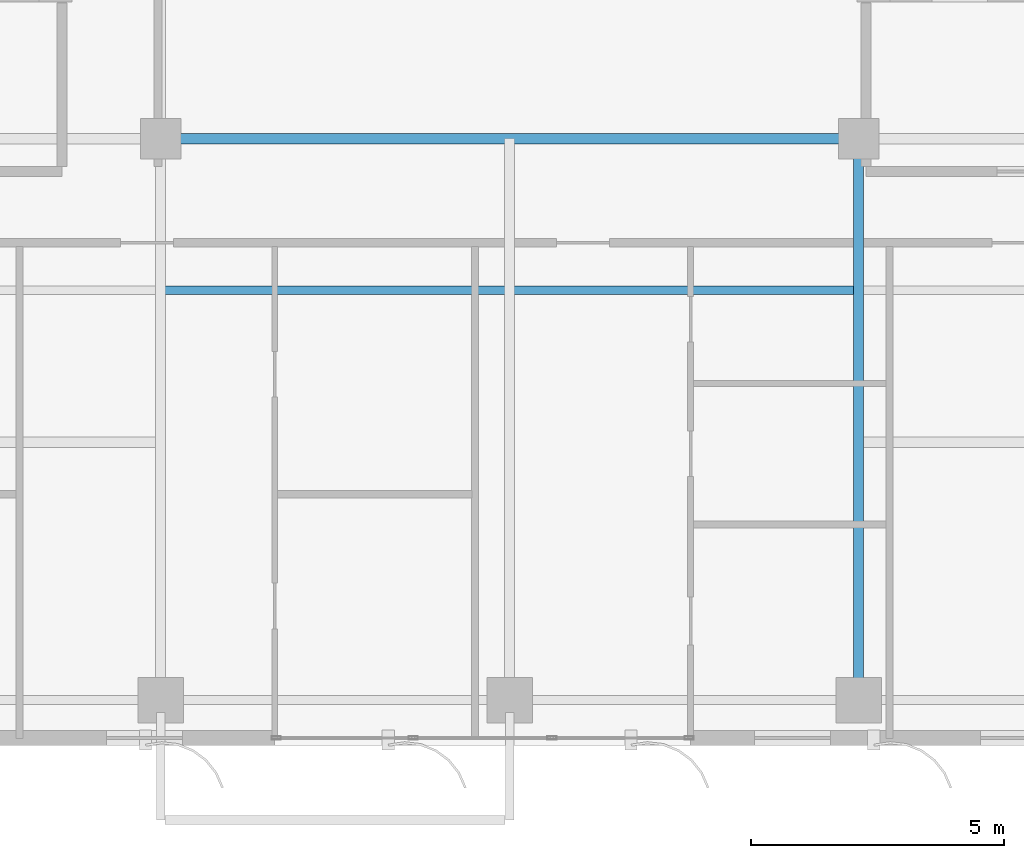
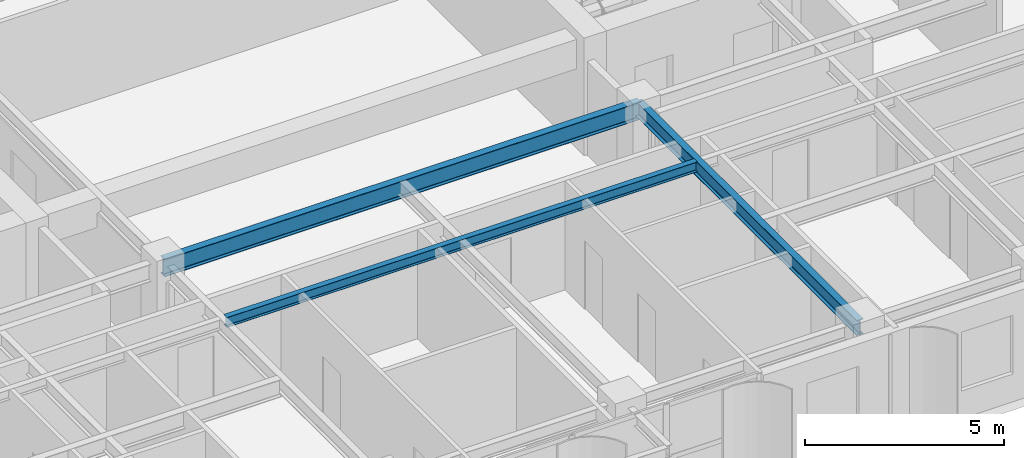
# One storey, part 4 of 21: 3 beams.
"""IFC4 building model written with IfcOpenShell, lengths in metres."""

import ifcopenshell
import ifcopenshell.guid

model = None  # the IFC model being written
_history = None  # IfcOwnerHistory: only IFC2X3 demands one
_inside = {}  # id of a spatial element -> (the spatial element, [elements in it])
_under = {}  # id of a project, library or spatial element -> (it, [spatial elements below it])
_declared = {}  # id of a project -> (the project, [libraries it declares])
_typed = {}  # id of a type object -> (the type object, [elements of that type])
_made_of = {}  # id of a material, layer set ... -> (it, [elements and type objects made of it])


def new_model(schema):
    """Start an empty IFC model of exactly this schema.

    Asked for "IFC4X3", IfcOpenShell would pick the latest addendum, in which some entities
    have other attributes; the version numbers below select the first issue.
    IFC2X3 requires an IfcOwnerHistory on every rooted entity: one is made here for all.
    """
    global model, _history
    if schema == "IFC4X3":
        model = ifcopenshell.file(schema_version=(4, 3, 0, 0))
    else:
        model = ifcopenshell.file(schema=schema)
    _inside.clear()
    _under.clear()
    _declared.clear()
    _typed.clear()
    _made_of.clear()
    _history = None
    if model.schema == "IFC2X3":
        org = make("IfcOrganization", Name="unknown")
        user = make(
            "IfcPersonAndOrganization",
            ThePerson=make("IfcPerson", FamilyName="unknown"),
            TheOrganization=org,
        )
        app = make(
            "IfcApplication",
            ApplicationDeveloper=org,
            Version="unknown",
            ApplicationFullName="unknown",
            ApplicationIdentifier="unknown",
        )
        _history = make(
            "IfcOwnerHistory",
            OwningUser=user,
            OwningApplication=app,
            ChangeAction="ADDED",
            CreationDate=0,
        )
    return model


def make(cls, **values):
    """One entity of the class cls with the attributes given. An attribute that is None is left unset."""
    return model.create_entity(
        cls, **{name: value for name, value in values.items() if value is not None}
    )


def rooted(cls, **values):
    """An entity with a GlobalId (a new one), such as an element, a storey or a relation."""
    return make(cls, GlobalId=ifcopenshell.guid.new(), OwnerHistory=_history, **values)


def si_unit(unit_type, name, prefix=None):
    """IfcSIUnit, for example si_unit("LENGTHUNIT", "METRE", prefix="MILLI")."""
    return make("IfcSIUnit", UnitType=unit_type, Prefix=prefix, Name=name)


def assignment(units):
    """IfcUnitAssignment: the units of a project."""
    return None if units is None else make("IfcUnitAssignment", Units=units)


def point(xyz):
    """IfcCartesianPoint."""
    return None if xyz is None else make("IfcCartesianPoint", Coordinates=xyz)


def direction(xyz):
    """IfcDirection."""
    return None if xyz is None else make("IfcDirection", DirectionRatios=xyz)


def frame(location, z_axis=None, x_axis=None):
    """IfcAxis2Placement3D, a coordinate frame: its origin and axes. An axis left out is left unset."""
    return make(
        "IfcAxis2Placement3D",
        Location=point(location),
        Axis=direction(z_axis),
        RefDirection=direction(x_axis),
    )


def frame_2d(location, x_axis=None):
    """IfcAxis2Placement2D, a coordinate frame in the plane: its origin and x axis."""
    return make(
        "IfcAxis2Placement2D", Location=point(location), RefDirection=direction(x_axis)
    )


def origin():
    """The frame at (0, 0, 0) with its axes left unset."""
    return frame((0.0, 0.0, 0.0))


def origin_2d():
    """The frame at (0, 0) in the plane with its x axis left unset."""
    return frame_2d((0.0, 0.0))


def place(relative_to, where):
    """IfcLocalPlacement: puts the frame where relative to a parent placement (None: the world)."""
    return make(
        "IfcLocalPlacement", PlacementRelTo=relative_to, RelativePlacement=where
    )


def context(
    kind, dimensions, precision=None, world=None, true_north=None, identifier=None
):
    """IfcGeometricRepresentationContext, for example the 3D "Model" context."""
    return make(
        "IfcGeometricRepresentationContext",
        ContextIdentifier=identifier,
        ContextType=kind,
        CoordinateSpaceDimension=dimensions,
        Precision=precision,
        WorldCoordinateSystem=world,
        TrueNorth=true_north,
    )


def subcontext(parent, identifier, kind, view, scale=None):
    """IfcGeometricRepresentationSubContext, for example "Body" below "Model"."""
    return make(
        "IfcGeometricRepresentationSubContext",
        ContextIdentifier=identifier,
        ContextType=kind,
        ParentContext=parent,
        TargetScale=scale,
        TargetView=view,
    )


def project(units=None, contexts=None):
    """IfcProject with its units and contexts."""
    return rooted(
        "IfcProject",
        Name="project",
        RepresentationContexts=contexts,
        UnitsInContext=assignment(units),
    )


def spatial(cls, under=None, at=None, **own):
    """A site, building, storey or space (cls), placed at a placement, below another one or the project."""
    s = rooted(cls, ObjectPlacement=at, **own)
    if under is not None:
        _under.setdefault(under.id(), (under, []))[1].append(s)
    return s


def profile(cls, at=None, kind="AREA", **sizes):
    """A parametric profile (cls). Its sizes go by their IFC names, for example OverallWidth=200.0."""
    return make(cls, ProfileType=kind, Position=at, **sizes)


def i_section(**sizes):
    """IfcIShapeProfileDef."""
    return profile("IfcIShapeProfileDef", **sizes)


def extrude(swept, where, along, depth):
    """IfcExtrudedAreaSolid: the profile swept, set in the frame where, extruded along a direction by depth."""
    return make(
        "IfcExtrudedAreaSolid",
        SweptArea=swept,
        Position=where,
        ExtrudedDirection=direction(along),
        Depth=depth,
    )


def shape(context_of_items, identifier, shape_type, items):
    """IfcShapeRepresentation: the items that make up one representation, for example the "Body"."""
    return make(
        "IfcShapeRepresentation",
        ContextOfItems=context_of_items,
        RepresentationIdentifier=identifier,
        RepresentationType=shape_type,
        Items=items,
    )


def source(mapping_origin, context_of_items, identifier, shape_type, items):
    """IfcRepresentationMap: a shape defined once, which mapped items show again and again."""
    return make(
        "IfcRepresentationMap",
        MappingOrigin=mapping_origin,
        MappedRepresentation=shape(context_of_items, identifier, shape_type, items),
    )


def transform(
    local_origin,
    x_axis=None,
    y_axis=None,
    z_axis=None,
    scale=None,
    scale2=None,
    scale3=None,
    uniform=True,
):
    """IfcCartesianTransformationOperator3D, or its non-uniform kind. x_axis, y_axis, z_axis: its Axis1, 2, 3."""
    if uniform:
        return make(
            "IfcCartesianTransformationOperator3D",
            Axis1=direction(x_axis),
            Axis2=direction(y_axis),
            LocalOrigin=point(local_origin),
            Scale=scale,
            Axis3=direction(z_axis),
        )
    return make(
        "IfcCartesianTransformationOperator3DnonUniform",
        Axis1=direction(x_axis),
        Axis2=direction(y_axis),
        LocalOrigin=point(local_origin),
        Scale=scale,
        Axis3=direction(z_axis),
        Scale2=scale2,
        Scale3=scale3,
    )


def mapped(mapping_source, mapping_target):
    """IfcMappedItem: shows the shape of a source again, moved by a transform."""
    return make(
        "IfcMappedItem", MappingSource=mapping_source, MappingTarget=mapping_target
    )


def material(Name=None, Category=None):
    """IfcMaterial."""
    return make("IfcMaterial", Name=Name, Category=Category)


def material_profile(
    of_material, cross_section, Name=None, Category=None, Priority=None
):
    """IfcMaterialProfile: a cross section and its material."""
    return make(
        "IfcMaterialProfile",
        Name=Name,
        Material=of_material,
        Profile=cross_section,
        Priority=Priority,
        Category=Category,
    )


def profile_set(profiles, Name=None, composite=None):
    """IfcMaterialProfileSet."""
    return make(
        "IfcMaterialProfileSet",
        Name=Name,
        MaterialProfiles=profiles,
        CompositeProfile=composite,
    )


def made_of(thing, what):
    """Note that an element or type object is made of a material, layer set ...; save() writes the relation."""
    if what is not None:
        _made_of.setdefault(what.id(), (what, []))[1].append(thing)
    return thing


def type_object(cls, material=None, **own):
    """A type object (cls), such as IfcWallType, which elements share."""
    return made_of(rooted(cls, **own), material)


def element(
    cls,
    number,
    at=None,
    inside=None,
    cuts=None,
    type_object=None,
    material=None,
    context=None,
    identifier="Body",
    shape_type=None,
    held_by="IfcProductDefinitionShape",
    body=None,
    shapes=None,
    **own,
):
    """One element of the class cls, such as IfcWall. Its Tag is "e" and its number.

    at: its placement. inside: the storey or other place that contains it. cuts: it is an
    opening in that element (IfcRelVoidsElement). A single representation is given by context,
    identifier, shape_type and body (its items); several are given by shapes. held_by: the class
    of the entity that holds the representations. save() writes the other relations.
    """
    e = rooted(cls, Tag="e%d" % number, ObjectPlacement=at, **own)
    if body is not None:
        shapes = [shape(context, identifier, shape_type, body)]
    if shapes is not None:
        e.Representation = make(held_by, Representations=shapes)
    if inside is not None:
        _inside.setdefault(inside.id(), (inside, []))[1].append(e)
    if cuts is not None:
        rooted(
            "IfcRelVoidsElement", RelatingBuildingElement=cuts, RelatedOpeningElement=e
        )
    if type_object is not None:
        _typed.setdefault(type_object.id(), (type_object, []))[1].append(e)
    return made_of(e, material)


def aggregate(whole, parts):
    """IfcRelAggregates: a whole, such as a stair, and the parts it consists of."""
    return rooted("IfcRelAggregates", RelatingObject=whole, RelatedObjects=parts)


def save(model, path):
    """Write the relations noted so far, then the file.

    IfcRelAggregates (storeys below a building ...), IfcRelContainedInSpatialStructure (elements
    in a storey), IfcRelDefinesByType, IfcRelAssociatesMaterial and IfcRelDeclares: one each for
    every whole, place, type object, material and project.
    """
    for whole, parts in _under.values():
        aggregate(whole, parts)
    for where, things in _inside.values():
        rooted(
            "IfcRelContainedInSpatialStructure",
            RelatedElements=things,
            RelatingStructure=where,
        )
    for kind, things in _typed.values():
        rooted("IfcRelDefinesByType", RelatedObjects=things, RelatingType=kind)
    for what, things in _made_of.values():
        rooted("IfcRelAssociatesMaterial", RelatedObjects=things, RelatingMaterial=what)
    for by, libraries in _declared.values():
        rooted("IfcRelDeclares", RelatingContext=by, RelatedDefinitions=libraries)
    model.write(path)


model = new_model("IFC4")

# Units and contexts
model_context = context("Model", 3, precision=1e-05, world=origin(), true_north=direction((0.0, 1.0)))
body_context = subcontext(model_context, "Body", "Model", "MODEL_VIEW")
ifc_project = project(units=[si_unit("LENGTHUNIT", "METRE"), si_unit("AREAUNIT", "SQUARE_METRE"), si_unit("VOLUMEUNIT", "CUBIC_METRE"), si_unit("PLANEANGLEUNIT", "RADIAN"), si_unit("MASSUNIT", "GRAM", prefix="KILO")], contexts=[model_context])

# Site, building, storey
site_placement = place(None, origin())
site = spatial("IfcSite", under=ifc_project, at=site_placement, CompositionType="ELEMENT")
building_placement = place(site_placement, origin())
building = spatial("IfcBuilding", under=site, at=building_placement, Name="Khoralis Quay Care Tower", CompositionType="ELEMENT")
storey_placement = place(building_placement, frame((0.0, 0.0, 159.300048828125)))
storey = spatial("IfcBuildingStorey", under=building, at=storey_placement, Name="L41", CompositionType="ELEMENT", Elevation=159.300048828125)

# Beams
ifc_material = material(Name="Steel S355", Category="steel")
ifc_material_profile_1 = material_profile(ifc_material, i_section(OverallWidth=0.208984375, OverallDepth=0.532958984375, WebThickness=0.01025390625, FlangeThickness=0.015625, FilletRadius=0.01611328125, at=origin_2d()), Name="Steel S355")
ifc_profile_set_1 = profile_set([ifc_material_profile_1], Name="Steel S355")
beam_type_1 = type_object("IfcBeamType", Name="BM-W530X92", PredefinedType="BEAM", material=ifc_profile_set_1)
shared_shape_1 = source(origin(), body_context, "Body", "SweptSolid", [
    extrude(i_section(OverallWidth=0.208984375, OverallDepth=0.532958984375, WebThickness=0.01025390625, FlangeThickness=0.015625, FilletRadius=0.01611328125, at=origin_2d()), origin(), (0.0, 0.0, 1.0), 13.7998046875),
])
beam_1_placement = place(storey_placement, frame((17.10009765625, 12.0, 3.073486328125), z_axis=(1.0, 0.0, 0.0), x_axis=(0.0, 1.0, 0.0)))
element("IfcBeam", 1, at=beam_1_placement, inside=storey, type_object=beam_type_1, Name="BM-TGCC-L41-120", PredefinedType="BEAM", context=body_context, shape_type="MappedRepresentation", body=[
    mapped(shared_shape_1, transform((0.0, 0.0, 0.0), scale=1.0)),
])
ifc_material_profile_2 = material_profile(ifc_material, i_section(OverallWidth=0.19189453125, OverallDepth=0.462890625, WebThickness=0.010498046875, FlangeThickness=0.017578125, FilletRadius=0.014892578125, at=origin_2d()), Name="Steel S355")
ifc_profile_set_2 = profile_set([ifc_material_profile_2], Name="Steel S355")
beam_type_2 = type_object("IfcBeamType", Name="BM-W460X89", PredefinedType="BEAM", material=ifc_profile_set_2)
shared_shape_2 = source(origin(), body_context, "Body", "SweptSolid", [
    extrude(i_section(OverallWidth=0.19189453125, OverallDepth=0.462890625, WebThickness=0.010498046875, FlangeThickness=0.017578125, FilletRadius=0.014892578125, at=origin_2d()), origin(), (0.0, 0.0, 1.0), 11.10009765625),
])
beam_2_placement = place(storey_placement, frame((30.89990234375, 0.89990234375, 3.1083984375), z_axis=(0.0, 1.0, 0.0), x_axis=(-1.0, 0.0, 0.0)))
element("IfcBeam", 2, at=beam_2_placement, inside=storey, type_object=beam_type_2, Name="BM-TGYS-L41-309", PredefinedType="BEAM", context=body_context, shape_type="MappedRepresentation", body=[
    mapped(shared_shape_2, transform((0.0, 0.0, 0.0), scale=1.0)),
])
ifc_material_profile_3 = material_profile(ifc_material, i_section(OverallWidth=0.1650390625, OverallDepth=0.31005859375, WebThickness=0.005859375, FlangeThickness=0.009765625, FilletRadius=0.011962890625, at=origin_2d()), Name="Steel S355")
ifc_profile_set_3 = profile_set([ifc_material_profile_3], Name="Steel S355")
beam_type_3 = type_object("IfcBeamType", Name="BM-W310X39", PredefinedType="JOIST", material=ifc_profile_set_3)
shared_shape_3 = source(origin(), body_context, "Body", "SweptSolid", [
    extrude(i_section(OverallWidth=0.1650390625, OverallDepth=0.31005859375, WebThickness=0.005859375, FlangeThickness=0.009765625, FilletRadius=0.011962890625, at=origin_2d()), origin(), (0.0, 0.0, 1.0), 13.6318359375),
])
beam_3_placement = place(storey_placement, frame((17.18408203125, 9.0, 3.18505859375), z_axis=(1.0, 0.0, 0.0), x_axis=(0.0, 1.0, 0.0)))
element("IfcBeam", 3, at=beam_3_placement, inside=storey, type_object=beam_type_3, Name="BM-TJS-L41-25", PredefinedType="JOIST", context=body_context, shape_type="MappedRepresentation", body=[
    mapped(shared_shape_3, transform((0.0, 0.0, 0.0), scale=1.0)),
])

save(model, "model.ifc")
